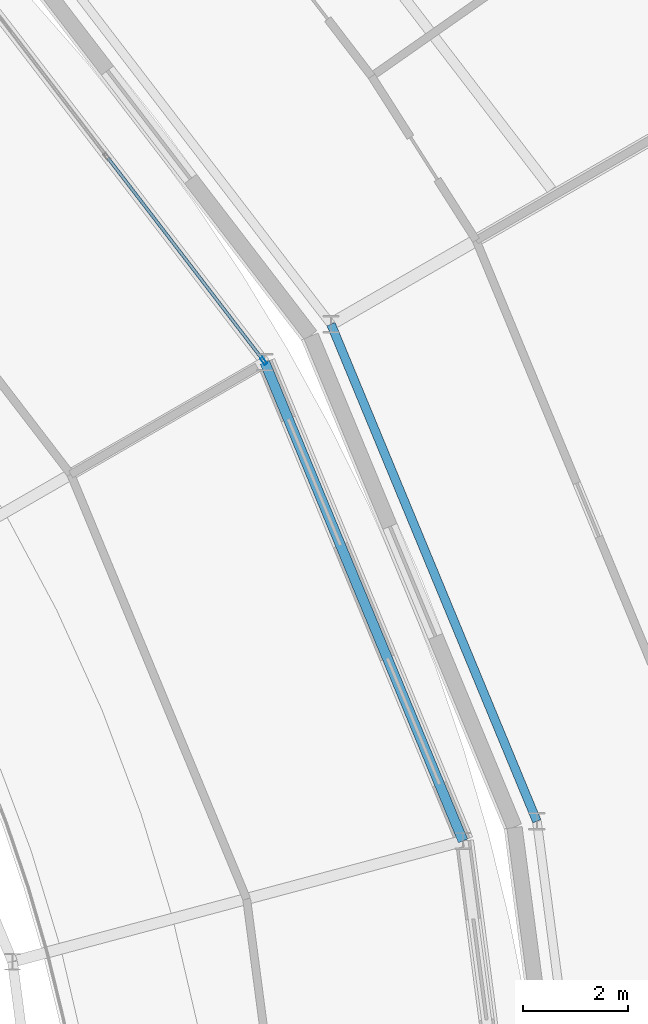
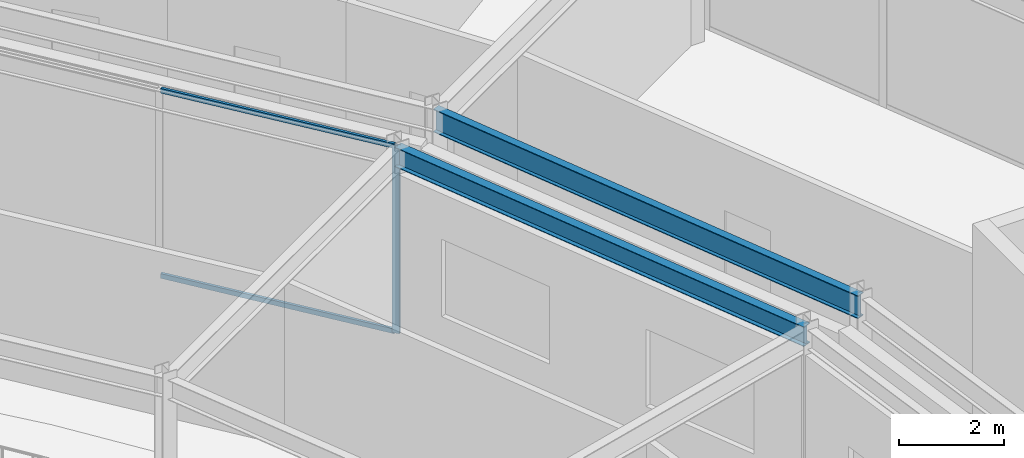
# One storey, part 68 of 133: 3 members, 2 beams, 1 element without a shape of its own.
"""IFC4 building model written with IfcOpenShell, lengths in metres."""

import ifcopenshell
import ifcopenshell.guid

model = None  # the IFC model being written
_history = None  # IfcOwnerHistory: only IFC2X3 demands one
_inside = {}  # id of a spatial element -> (the spatial element, [elements in it])
_under = {}  # id of a project, library or spatial element -> (it, [spatial elements below it])
_declared = {}  # id of a project -> (the project, [libraries it declares])
_typed = {}  # id of a type object -> (the type object, [elements of that type])
_made_of = {}  # id of a material, layer set ... -> (it, [elements and type objects made of it])


def new_model(schema):
    """Start an empty IFC model of exactly this schema.

    Asked for "IFC4X3", IfcOpenShell would pick the latest addendum, in which some entities
    have other attributes; the version numbers below select the first issue.
    IFC2X3 requires an IfcOwnerHistory on every rooted entity: one is made here for all.
    """
    global model, _history
    if schema == "IFC4X3":
        model = ifcopenshell.file(schema_version=(4, 3, 0, 0))
    else:
        model = ifcopenshell.file(schema=schema)
    _inside.clear()
    _under.clear()
    _declared.clear()
    _typed.clear()
    _made_of.clear()
    _history = None
    if model.schema == "IFC2X3":
        org = make("IfcOrganization", Name="unknown")
        user = make(
            "IfcPersonAndOrganization",
            ThePerson=make("IfcPerson", FamilyName="unknown"),
            TheOrganization=org,
        )
        app = make(
            "IfcApplication",
            ApplicationDeveloper=org,
            Version="unknown",
            ApplicationFullName="unknown",
            ApplicationIdentifier="unknown",
        )
        _history = make(
            "IfcOwnerHistory",
            OwningUser=user,
            OwningApplication=app,
            ChangeAction="ADDED",
            CreationDate=0,
        )
    return model


def make(cls, **values):
    """One entity of the class cls with the attributes given. An attribute that is None is left unset."""
    return model.create_entity(
        cls, **{name: value for name, value in values.items() if value is not None}
    )


def rooted(cls, **values):
    """An entity with a GlobalId (a new one), such as an element, a storey or a relation."""
    return make(cls, GlobalId=ifcopenshell.guid.new(), OwnerHistory=_history, **values)


def si_unit(unit_type, name, prefix=None):
    """IfcSIUnit, for example si_unit("LENGTHUNIT", "METRE", prefix="MILLI")."""
    return make("IfcSIUnit", UnitType=unit_type, Prefix=prefix, Name=name)


def assignment(units):
    """IfcUnitAssignment: the units of a project."""
    return None if units is None else make("IfcUnitAssignment", Units=units)


def point(xyz):
    """IfcCartesianPoint."""
    return None if xyz is None else make("IfcCartesianPoint", Coordinates=xyz)


def direction(xyz):
    """IfcDirection."""
    return None if xyz is None else make("IfcDirection", DirectionRatios=xyz)


def frame(location, z_axis=None, x_axis=None):
    """IfcAxis2Placement3D, a coordinate frame: its origin and axes. An axis left out is left unset."""
    return make(
        "IfcAxis2Placement3D",
        Location=point(location),
        Axis=direction(z_axis),
        RefDirection=direction(x_axis),
    )


def frame_2d(location, x_axis=None):
    """IfcAxis2Placement2D, a coordinate frame in the plane: its origin and x axis."""
    return make(
        "IfcAxis2Placement2D", Location=point(location), RefDirection=direction(x_axis)
    )


def origin():
    """The frame at (0, 0, 0) with its axes left unset."""
    return frame((0.0, 0.0, 0.0))


def origin_2d():
    """The frame at (0, 0) in the plane with its x axis left unset."""
    return frame_2d((0.0, 0.0))


def place(relative_to, where):
    """IfcLocalPlacement: puts the frame where relative to a parent placement (None: the world)."""
    return make(
        "IfcLocalPlacement", PlacementRelTo=relative_to, RelativePlacement=where
    )


def context(
    kind, dimensions, precision=None, world=None, true_north=None, identifier=None
):
    """IfcGeometricRepresentationContext, for example the 3D "Model" context."""
    return make(
        "IfcGeometricRepresentationContext",
        ContextIdentifier=identifier,
        ContextType=kind,
        CoordinateSpaceDimension=dimensions,
        Precision=precision,
        WorldCoordinateSystem=world,
        TrueNorth=true_north,
    )


def subcontext(parent, identifier, kind, view, scale=None):
    """IfcGeometricRepresentationSubContext, for example "Body" below "Model"."""
    return make(
        "IfcGeometricRepresentationSubContext",
        ContextIdentifier=identifier,
        ContextType=kind,
        ParentContext=parent,
        TargetScale=scale,
        TargetView=view,
    )


def project(units=None, contexts=None):
    """IfcProject with its units and contexts."""
    return rooted(
        "IfcProject",
        Name="project",
        RepresentationContexts=contexts,
        UnitsInContext=assignment(units),
    )


def spatial(cls, under=None, at=None, **own):
    """A site, building, storey or space (cls), placed at a placement, below another one or the project."""
    s = rooted(cls, ObjectPlacement=at, **own)
    if under is not None:
        _under.setdefault(under.id(), (under, []))[1].append(s)
    return s


def profile(cls, at=None, kind="AREA", **sizes):
    """A parametric profile (cls). Its sizes go by their IFC names, for example OverallWidth=200.0."""
    return make(cls, ProfileType=kind, Position=at, **sizes)


def hollow_rectangle(**sizes):
    """IfcRectangleHollowProfileDef."""
    return profile("IfcRectangleHollowProfileDef", **sizes)


def i_section(**sizes):
    """IfcIShapeProfileDef."""
    return profile("IfcIShapeProfileDef", **sizes)


def extrude(swept, where, along, depth):
    """IfcExtrudedAreaSolid: the profile swept, set in the frame where, extruded along a direction by depth."""
    return make(
        "IfcExtrudedAreaSolid",
        SweptArea=swept,
        Position=where,
        ExtrudedDirection=direction(along),
        Depth=depth,
    )


def shape(context_of_items, identifier, shape_type, items):
    """IfcShapeRepresentation: the items that make up one representation, for example the "Body"."""
    return make(
        "IfcShapeRepresentation",
        ContextOfItems=context_of_items,
        RepresentationIdentifier=identifier,
        RepresentationType=shape_type,
        Items=items,
    )


def material(Name=None, Category=None):
    """IfcMaterial."""
    return make("IfcMaterial", Name=Name, Category=Category)


def material_profile(
    of_material, cross_section, Name=None, Category=None, Priority=None
):
    """IfcMaterialProfile: a cross section and its material."""
    return make(
        "IfcMaterialProfile",
        Name=Name,
        Material=of_material,
        Profile=cross_section,
        Priority=Priority,
        Category=Category,
    )


def profile_set(profiles, Name=None, composite=None):
    """IfcMaterialProfileSet."""
    return make(
        "IfcMaterialProfileSet",
        Name=Name,
        MaterialProfiles=profiles,
        CompositeProfile=composite,
    )


def made_of(thing, what):
    """Note that an element or type object is made of a material, layer set ...; save() writes the relation."""
    if what is not None:
        _made_of.setdefault(what.id(), (what, []))[1].append(thing)
    return thing


def type_object(cls, material=None, **own):
    """A type object (cls), such as IfcWallType, which elements share."""
    return made_of(rooted(cls, **own), material)


def element(
    cls,
    number,
    at=None,
    inside=None,
    cuts=None,
    type_object=None,
    material=None,
    context=None,
    identifier="Body",
    shape_type=None,
    held_by="IfcProductDefinitionShape",
    body=None,
    shapes=None,
    **own,
):
    """One element of the class cls, such as IfcWall. Its Tag is "e" and its number.

    at: its placement. inside: the storey or other place that contains it. cuts: it is an
    opening in that element (IfcRelVoidsElement). A single representation is given by context,
    identifier, shape_type and body (its items); several are given by shapes. held_by: the class
    of the entity that holds the representations. save() writes the other relations.
    """
    e = rooted(cls, Tag="e%d" % number, ObjectPlacement=at, **own)
    if body is not None:
        shapes = [shape(context, identifier, shape_type, body)]
    if shapes is not None:
        e.Representation = make(held_by, Representations=shapes)
    if inside is not None:
        _inside.setdefault(inside.id(), (inside, []))[1].append(e)
    if cuts is not None:
        rooted(
            "IfcRelVoidsElement", RelatingBuildingElement=cuts, RelatedOpeningElement=e
        )
    if type_object is not None:
        _typed.setdefault(type_object.id(), (type_object, []))[1].append(e)
    return made_of(e, material)


def aggregate(whole, parts):
    """IfcRelAggregates: a whole, such as a stair, and the parts it consists of."""
    return rooted("IfcRelAggregates", RelatingObject=whole, RelatedObjects=parts)


def save(model, path):
    """Write the relations noted so far, then the file.

    IfcRelAggregates (storeys below a building ...), IfcRelContainedInSpatialStructure (elements
    in a storey), IfcRelDefinesByType, IfcRelAssociatesMaterial and IfcRelDeclares: one each for
    every whole, place, type object, material and project.
    """
    for whole, parts in _under.values():
        aggregate(whole, parts)
    for where, things in _inside.values():
        rooted(
            "IfcRelContainedInSpatialStructure",
            RelatedElements=things,
            RelatingStructure=where,
        )
    for kind, things in _typed.values():
        rooted("IfcRelDefinesByType", RelatedObjects=things, RelatingType=kind)
    for what, things in _made_of.values():
        rooted("IfcRelAssociatesMaterial", RelatedObjects=things, RelatingMaterial=what)
    for by, libraries in _declared.values():
        rooted("IfcRelDeclares", RelatingContext=by, RelatedDefinitions=libraries)
    model.write(path)


model = new_model("IFC4")

# Units and contexts
model_context = context("Model", 3, precision=1e-05, world=origin(), true_north=direction((0.0, 1.0)))
body_context = subcontext(model_context, "Body", "Model", "MODEL_VIEW")
ifc_project = project(units=[si_unit("LENGTHUNIT", "METRE"), si_unit("AREAUNIT", "SQUARE_METRE"), si_unit("VOLUMEUNIT", "CUBIC_METRE"), si_unit("PLANEANGLEUNIT", "RADIAN"), si_unit("MASSUNIT", "GRAM", prefix="KILO")], contexts=[model_context])

# Site, building, storey
site_placement = place(None, origin())
site = spatial("IfcSite", under=ifc_project, at=site_placement, CompositionType="ELEMENT")
building_placement = place(site_placement, origin())
building = spatial("IfcBuilding", under=site, at=building_placement, Name="Almandine Court Research Institute", CompositionType="ELEMENT")
storey_placement = place(building_placement, frame((0.0, 0.0, 9.800048828125)))
storey = spatial("IfcBuildingStorey", under=building, at=storey_placement, Name="L02", CompositionType="ELEMENT", Elevation=9.800048828125)

# Beams
ifc_material_1 = material(Name="Steel ASTM A992 Grade 50", Category="steel")
ifc_material_profile_1 = material_profile(ifc_material_1, i_section(OverallWidth=0.18994140625, OverallDepth=0.45703125, WebThickness=0.009033203125, FlangeThickness=0.014892578125, at=origin_2d()), Name="W460x74")
ifc_profile_set_1 = profile_set([ifc_material_profile_1], Name="Steel ASTM A992 Grade 50")
beam_type_1 = type_object("IfcBeamType", Name="Beam-B-01", PredefinedType="BEAM", material=ifc_profile_set_1)
beam_1_placement = place(storey_placement, frame((123.366943359375, 65.7451171875, 4.140869140625), z_axis=(-0.382683080424, 0.92387967829, 0.0), x_axis=(-0.92387967829, -0.382683080424, 0.0)))
element("IfcBeam", 1, at=beam_1_placement, inside=storey, type_object=beam_type_1, Name="L02 Atrium Outer Ring Beam", PredefinedType="BEAM", context=body_context, shape_type="SweptSolid", body=[
    extrude(i_section(OverallWidth=0.18994140625, OverallDepth=0.45703125, WebThickness=0.009033203125, FlangeThickness=0.014892578125, at=origin_2d()), origin(), (0.0, 0.0, 1.0), 9.827880859375),
])
ifc_material_profile_2 = material_profile(ifc_material_1, i_section(OverallWidth=0.166015625, OverallDepth=0.534912109375, WebThickness=0.010009765625, FlangeThickness=0.01708984375, at=origin_2d()), Name="W530x85")
ifc_profile_set_2 = profile_set([ifc_material_profile_2], Name="Steel ASTM A992 Grade 50")
beam_type_2 = type_object("IfcBeamType", Name="Beam-G-05-E", PredefinedType="SPANDREL", material=ifc_profile_set_2)
beam_2_placement = place(storey_placement, frame((124.76806640625, 66.1201171875, 4.10205078125), z_axis=(-0.382683455912, 0.923879522758, 0.0), x_axis=(-0.923879522758, -0.382683455912, 0.0)))
element("IfcBeam", 2, at=beam_2_placement, inside=storey, type_object=beam_type_2, Name="L02 Drum IN Ring Beam 01", PredefinedType="SPANDREL", context=body_context, shape_type="SweptSolid", body=[
    extrude(i_section(OverallWidth=0.166015625, OverallDepth=0.534912109375, WebThickness=0.010009765625, FlangeThickness=0.01708984375, at=origin_2d()), origin(), (0.0, 0.0, 1.0), 10.206787109375),
])

# Curtain wall, members
ifc_material_2 = material(Name="Unitised Curtain Wall Framing and Solar Glazing", Category="glass")
curtain_wall_type = type_object("IfcCurtainWallType", Name="CW-CWG-24", PredefinedType="USERDEFINED", material=ifc_material_2)
curtain_wall_placement = place(storey_placement, origin())
curtain_wall = element("IfcCurtainWall", 3, at=curtain_wall_placement, inside=storey, type_object=curtain_wall_type, Name="L02 Interaction Atrium Perimeter Curtain Wall 02", ObjectType="UNITISED GLAZING", PredefinedType="USERDEFINED")
ifc_material_3 = material(Name="Anodised Aluminium AW-6063-T6", Category="aluminium")
ifc_material_profile_3 = material_profile(ifc_material_3, hollow_rectangle(XDim=0.06005859375, YDim=0.14990234375, WallThickness=0.00390625, at=origin_2d()), Name="ALU RHS 60x150x4")
ifc_profile_set_3 = profile_set([ifc_material_profile_3], Name="Anodised Aluminium AW-6063-T6")
member_type_1 = type_object("IfcMemberType", Name="CWMul-60x150", PredefinedType="MULLION", material=ifc_profile_set_3)
member_1_placement = place(storey_placement, frame((119.585693359375, 74.851806640625, 0.0), z_axis=(0.0, 0.0, 1.0), x_axis=(0.793353924979, 0.608760667029, 0.0)))
member_1 = element("IfcMember", 4, at=member_1_placement, type_object=member_type_1, Name="CWG-24 mullion 3", PredefinedType="MULLION", context=body_context, shape_type="SweptSolid", body=[
    extrude(hollow_rectangle(XDim=0.06005859375, YDim=0.14990234375, WallThickness=0.00390625, at=origin_2d()), origin(), (0.0, 0.0, 1.0), 4.369873046875),
])
ifc_material_profile_4 = material_profile(ifc_material_3, hollow_rectangle(XDim=0.06005859375, YDim=0.110107421875, WallThickness=0.00390625, at=origin_2d()), Name="ALU RHS 60x110x4")
ifc_profile_set_4 = profile_set([ifc_material_profile_4], Name="Anodised Aluminium AW-6063-T6")
member_type_2 = type_object("IfcMemberType", Name="CWTrn-60x110", PredefinedType="NOTDEFINED", material=ifc_profile_set_4)
member_2_placement = place(storey_placement, frame((116.6328125, 78.7001953125, 0.030029296875), z_axis=(0.608731319349, -0.793376443338, 0.0), x_axis=(0.793376443338, 0.608731319349, 0.0)))
member_2 = element("IfcMember", 5, at=member_2_placement, type_object=member_type_2, Name="CWG-24 transom 2.1", ObjectType="TRANSOM", PredefinedType="USERDEFINED", context=body_context, shape_type="SweptSolid", body=[
    extrude(hollow_rectangle(XDim=0.06005859375, YDim=0.110107421875, WallThickness=0.00390625, at=origin_2d()), origin(), (0.0, 0.0, 1.0), 4.82080078125),
])
member_3_placement = place(storey_placement, frame((116.6328125, 78.7001953125, 4.33984375), z_axis=(0.608731319349, -0.793376443338, 0.0), x_axis=(0.793376443338, 0.608731319349, 0.0)))
member_3 = element("IfcMember", 6, at=member_3_placement, type_object=member_type_2, Name="CWG-24 transom 2.2", ObjectType="TRANSOM", PredefinedType="USERDEFINED", context=body_context, shape_type="SweptSolid", body=[
    extrude(hollow_rectangle(XDim=0.06005859375, YDim=0.110107421875, WallThickness=0.00390625, at=origin_2d()), origin(), (0.0, 0.0, 1.0), 4.82080078125),
])
aggregate(curtain_wall, [member_1, member_2, member_3])

save(model, "model.ifc")
